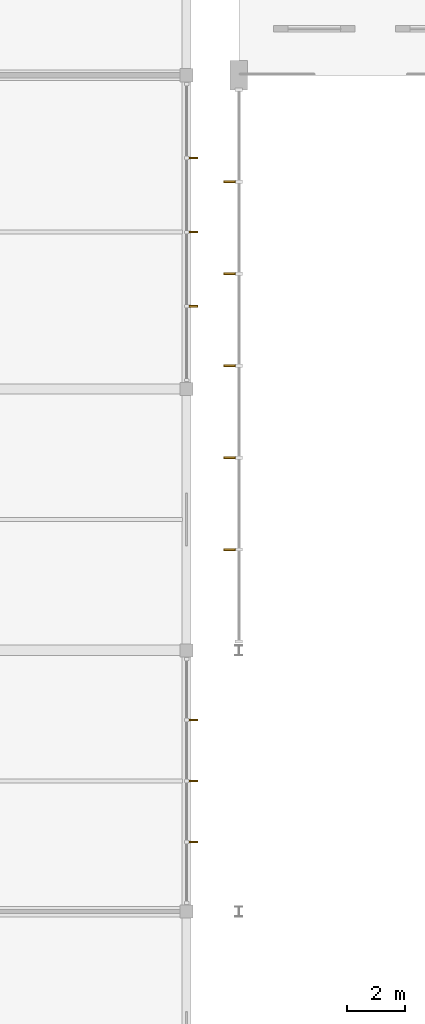
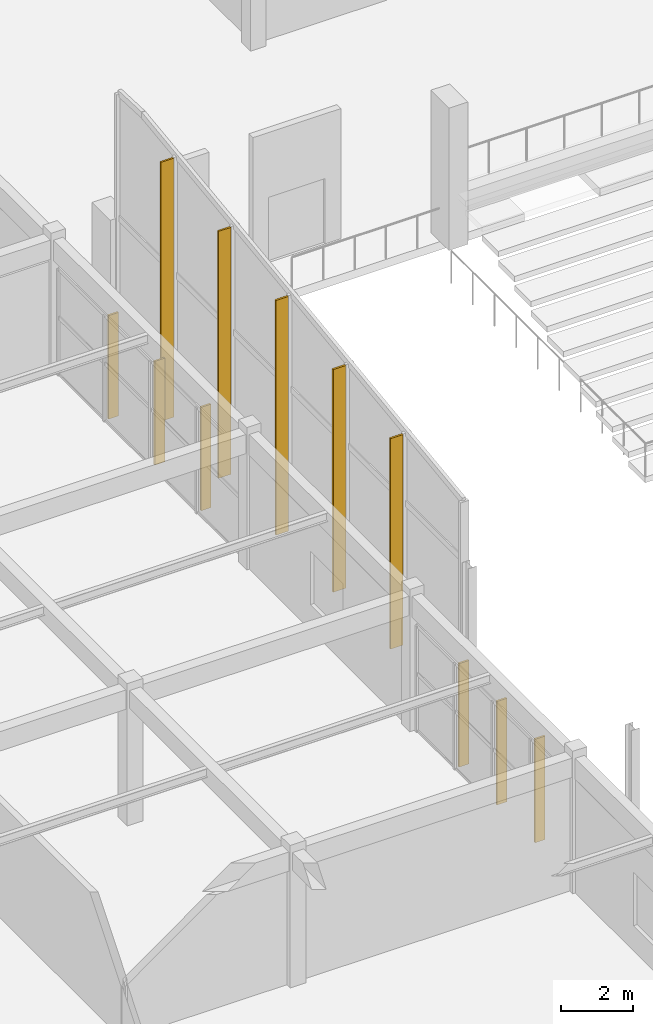
# One storey, part 63 of 74: 11 shading devices.
"""IFC4 building model written with IfcOpenShell, lengths in metres."""

import ifcopenshell
import ifcopenshell.guid

model = None  # the IFC model being written
_history = None  # IfcOwnerHistory: only IFC2X3 demands one
_inside = {}  # id of a spatial element -> (the spatial element, [elements in it])
_under = {}  # id of a project, library or spatial element -> (it, [spatial elements below it])
_declared = {}  # id of a project -> (the project, [libraries it declares])
_typed = {}  # id of a type object -> (the type object, [elements of that type])
_made_of = {}  # id of a material, layer set ... -> (it, [elements and type objects made of it])


def new_model(schema):
    """Start an empty IFC model of exactly this schema.

    Asked for "IFC4X3", IfcOpenShell would pick the latest addendum, in which some entities
    have other attributes; the version numbers below select the first issue.
    IFC2X3 requires an IfcOwnerHistory on every rooted entity: one is made here for all.
    """
    global model, _history
    if schema == "IFC4X3":
        model = ifcopenshell.file(schema_version=(4, 3, 0, 0))
    else:
        model = ifcopenshell.file(schema=schema)
    _inside.clear()
    _under.clear()
    _declared.clear()
    _typed.clear()
    _made_of.clear()
    _history = None
    if model.schema == "IFC2X3":
        org = make("IfcOrganization", Name="unknown")
        user = make(
            "IfcPersonAndOrganization",
            ThePerson=make("IfcPerson", FamilyName="unknown"),
            TheOrganization=org,
        )
        app = make(
            "IfcApplication",
            ApplicationDeveloper=org,
            Version="unknown",
            ApplicationFullName="unknown",
            ApplicationIdentifier="unknown",
        )
        _history = make(
            "IfcOwnerHistory",
            OwningUser=user,
            OwningApplication=app,
            ChangeAction="ADDED",
            CreationDate=0,
        )
    return model


def make(cls, **values):
    """One entity of the class cls with the attributes given. An attribute that is None is left unset."""
    return model.create_entity(
        cls, **{name: value for name, value in values.items() if value is not None}
    )


def rooted(cls, **values):
    """An entity with a GlobalId (a new one), such as an element, a storey or a relation."""
    return make(cls, GlobalId=ifcopenshell.guid.new(), OwnerHistory=_history, **values)


def si_unit(unit_type, name, prefix=None):
    """IfcSIUnit, for example si_unit("LENGTHUNIT", "METRE", prefix="MILLI")."""
    return make("IfcSIUnit", UnitType=unit_type, Prefix=prefix, Name=name)


def assignment(units):
    """IfcUnitAssignment: the units of a project."""
    return None if units is None else make("IfcUnitAssignment", Units=units)


def point(xyz):
    """IfcCartesianPoint."""
    return None if xyz is None else make("IfcCartesianPoint", Coordinates=xyz)


def direction(xyz):
    """IfcDirection."""
    return None if xyz is None else make("IfcDirection", DirectionRatios=xyz)


def frame(location, z_axis=None, x_axis=None):
    """IfcAxis2Placement3D, a coordinate frame: its origin and axes. An axis left out is left unset."""
    return make(
        "IfcAxis2Placement3D",
        Location=point(location),
        Axis=direction(z_axis),
        RefDirection=direction(x_axis),
    )


def frame_2d(location, x_axis=None):
    """IfcAxis2Placement2D, a coordinate frame in the plane: its origin and x axis."""
    return make(
        "IfcAxis2Placement2D", Location=point(location), RefDirection=direction(x_axis)
    )


def origin():
    """The frame at (0, 0, 0) with its axes left unset."""
    return frame((0.0, 0.0, 0.0))


def origin_2d():
    """The frame at (0, 0) in the plane with its x axis left unset."""
    return frame_2d((0.0, 0.0))


def place(relative_to, where):
    """IfcLocalPlacement: puts the frame where relative to a parent placement (None: the world)."""
    return make(
        "IfcLocalPlacement", PlacementRelTo=relative_to, RelativePlacement=where
    )


def context(
    kind, dimensions, precision=None, world=None, true_north=None, identifier=None
):
    """IfcGeometricRepresentationContext, for example the 3D "Model" context."""
    return make(
        "IfcGeometricRepresentationContext",
        ContextIdentifier=identifier,
        ContextType=kind,
        CoordinateSpaceDimension=dimensions,
        Precision=precision,
        WorldCoordinateSystem=world,
        TrueNorth=true_north,
    )


def subcontext(parent, identifier, kind, view, scale=None):
    """IfcGeometricRepresentationSubContext, for example "Body" below "Model"."""
    return make(
        "IfcGeometricRepresentationSubContext",
        ContextIdentifier=identifier,
        ContextType=kind,
        ParentContext=parent,
        TargetScale=scale,
        TargetView=view,
    )


def project(units=None, contexts=None):
    """IfcProject with its units and contexts."""
    return rooted(
        "IfcProject",
        Name="project",
        RepresentationContexts=contexts,
        UnitsInContext=assignment(units),
    )


def spatial(cls, under=None, at=None, **own):
    """A site, building, storey or space (cls), placed at a placement, below another one or the project."""
    s = rooted(cls, ObjectPlacement=at, **own)
    if under is not None:
        _under.setdefault(under.id(), (under, []))[1].append(s)
    return s


def profile(cls, at=None, kind="AREA", **sizes):
    """A parametric profile (cls). Its sizes go by their IFC names, for example OverallWidth=200.0."""
    return make(cls, ProfileType=kind, Position=at, **sizes)


def rectangle(**sizes):
    """IfcRectangleProfileDef."""
    return profile("IfcRectangleProfileDef", **sizes)


def extrude(swept, where, along, depth):
    """IfcExtrudedAreaSolid: the profile swept, set in the frame where, extruded along a direction by depth."""
    return make(
        "IfcExtrudedAreaSolid",
        SweptArea=swept,
        Position=where,
        ExtrudedDirection=direction(along),
        Depth=depth,
    )


def shape(context_of_items, identifier, shape_type, items):
    """IfcShapeRepresentation: the items that make up one representation, for example the "Body"."""
    return make(
        "IfcShapeRepresentation",
        ContextOfItems=context_of_items,
        RepresentationIdentifier=identifier,
        RepresentationType=shape_type,
        Items=items,
    )


def material(Name=None, Category=None):
    """IfcMaterial."""
    return make("IfcMaterial", Name=Name, Category=Category)


def made_of(thing, what):
    """Note that an element or type object is made of a material, layer set ...; save() writes the relation."""
    if what is not None:
        _made_of.setdefault(what.id(), (what, []))[1].append(thing)
    return thing


def type_object(cls, material=None, **own):
    """A type object (cls), such as IfcWallType, which elements share."""
    return made_of(rooted(cls, **own), material)


def element(
    cls,
    number,
    at=None,
    inside=None,
    cuts=None,
    type_object=None,
    material=None,
    context=None,
    identifier="Body",
    shape_type=None,
    held_by="IfcProductDefinitionShape",
    body=None,
    shapes=None,
    **own,
):
    """One element of the class cls, such as IfcWall. Its Tag is "e" and its number.

    at: its placement. inside: the storey or other place that contains it. cuts: it is an
    opening in that element (IfcRelVoidsElement). A single representation is given by context,
    identifier, shape_type and body (its items); several are given by shapes. held_by: the class
    of the entity that holds the representations. save() writes the other relations.
    """
    e = rooted(cls, Tag="e%d" % number, ObjectPlacement=at, **own)
    if body is not None:
        shapes = [shape(context, identifier, shape_type, body)]
    if shapes is not None:
        e.Representation = make(held_by, Representations=shapes)
    if inside is not None:
        _inside.setdefault(inside.id(), (inside, []))[1].append(e)
    if cuts is not None:
        rooted(
            "IfcRelVoidsElement", RelatingBuildingElement=cuts, RelatedOpeningElement=e
        )
    if type_object is not None:
        _typed.setdefault(type_object.id(), (type_object, []))[1].append(e)
    return made_of(e, material)


def aggregate(whole, parts):
    """IfcRelAggregates: a whole, such as a stair, and the parts it consists of."""
    return rooted("IfcRelAggregates", RelatingObject=whole, RelatedObjects=parts)


def save(model, path):
    """Write the relations noted so far, then the file.

    IfcRelAggregates (storeys below a building ...), IfcRelContainedInSpatialStructure (elements
    in a storey), IfcRelDefinesByType, IfcRelAssociatesMaterial and IfcRelDeclares: one each for
    every whole, place, type object, material and project.
    """
    for whole, parts in _under.values():
        aggregate(whole, parts)
    for where, things in _inside.values():
        rooted(
            "IfcRelContainedInSpatialStructure",
            RelatedElements=things,
            RelatingStructure=where,
        )
    for kind, things in _typed.values():
        rooted("IfcRelDefinesByType", RelatedObjects=things, RelatingType=kind)
    for what, things in _made_of.values():
        rooted("IfcRelAssociatesMaterial", RelatedObjects=things, RelatingMaterial=what)
    for by, libraries in _declared.values():
        rooted("IfcRelDeclares", RelatingContext=by, RelatedDefinitions=libraries)
    model.write(path)


model = new_model("IFC4")

# Units and contexts
model_context = context("Model", 3, precision=1e-05, world=origin(), true_north=direction((0.0, 1.0)))
body_context = subcontext(model_context, "Body", "Model", "MODEL_VIEW")
ifc_project = project(units=[si_unit("LENGTHUNIT", "METRE"), si_unit("AREAUNIT", "SQUARE_METRE"), si_unit("VOLUMEUNIT", "CUBIC_METRE"), si_unit("PLANEANGLEUNIT", "RADIAN"), si_unit("MASSUNIT", "GRAM", prefix="KILO")], contexts=[model_context])

# Site, building, storey
site_placement = place(None, origin())
site = spatial("IfcSite", under=ifc_project, at=site_placement, CompositionType="ELEMENT")
building_placement = place(site_placement, origin())
building = spatial("IfcBuilding", under=site, at=building_placement, Name="Suirenkawa Promenade Aquatics Centre", CompositionType="ELEMENT")
storey_placement = place(building_placement, frame((0.0, 0.0, 4.800048828125)))
storey = spatial("IfcBuildingStorey", under=building, at=storey_placement, Name="L01", CompositionType="ELEMENT", Elevation=4.800048828125)

# Shading devices
ifc_material = material(Name="Anodised aluminium 6063-T6", Category="aluminium")
shading_device_type_1 = type_object("IfcShadingDeviceType", Name="SDT-KOUSHI-320", PredefinedType="USERDEFINED", material=ifc_material)
for number, where, z_axis, x_axis, name in (
    (1, (45.23193359375, 75.00048828125, 0.0400390625), (0.0, 0.0, 1.0), (1.0, 0.0, 0.0), "Vertical solar shading fin FN-02 FIN-0124"),
    (2, (45.23193359375, 72.89990234375, 0.0400390625), (0.0, 0.0, 1.0), (1.0, 0.0, 0.0), "Vertical solar shading fin FN-02 FIN-0125"),
    (3, (45.23193359375, 70.799560546875, 0.0400390625), (0.0, 0.0, 1.0), (1.0, 0.0, 0.0), "Vertical solar shading fin FN-02 FIN-0126"),
    (4, (45.23193359375, 94.3505859375, 0.0400390625), (0.0, 0.0, 1.0), (1.0, 0.0, 0.0), "Vertical solar shading fin FN-02 FIN-0133"),
    (5, (45.23193359375, 91.800048828125, 0.0400390625), (0.0, 0.0, 1.0), (1.0, 0.0, 0.0), "Vertical solar shading fin FN-02 FIN-0134"),
    (6, (45.23193359375, 89.24951171875, 0.0400390625), (0.0, 0.0, 1.0), (1.0, 0.0, 0.0), "Vertical solar shading fin FN-02 FIN-0135"),
):
    element("IfcShadingDevice", number, at=place(storey_placement, frame(where, z_axis=z_axis, x_axis=x_axis)), inside=storey, type_object=shading_device_type_1, Name=name, ObjectType="FIN", PredefinedType="USERDEFINED", context=body_context, shape_type="SweptSolid", body=[
        extrude(rectangle(XDim=0.320068359375, YDim=0.06005859375, at=origin_2d()), origin(), (0.0, 0.0, 1.0), 3.489990234375),
    ])
shading_device_type_2 = type_object("IfcShadingDeviceType", Name="SDT-KOUSHI-400", PredefinedType="USERDEFINED", material=ifc_material)
shading_device_1_placement = place(storey_placement, frame((46.47802734375, 80.865966796875, 0.0400390625), z_axis=(0.0, 0.0, 1.0), x_axis=(-1.0, 0.0, 0.0)))
element("IfcShadingDevice", 7, at=shading_device_1_placement, inside=storey, type_object=shading_device_type_2, Name="Vertical solar shading fin FN-01 FIN-0007", ObjectType="FIN", PredefinedType="USERDEFINED", context=body_context, shape_type="SweptSolid", body=[
    extrude(rectangle(XDim=0.39990234375, YDim=0.06005859375, at=origin_2d()), origin(), (0.0, 0.0, 1.0), 7.0966796875),
])
shading_device_2_placement = place(storey_placement, frame((46.47802734375, 84.032958984375, 0.0400390625), z_axis=(0.0, 0.0, 1.0), x_axis=(-1.0, 0.0, 0.0)))
element("IfcShadingDevice", 8, at=shading_device_2_placement, inside=storey, type_object=shading_device_type_2, Name="Vertical solar shading fin FN-01 FIN-0008", ObjectType="FIN", PredefinedType="USERDEFINED", context=body_context, shape_type="SweptSolid", body=[
    extrude(rectangle(XDim=0.39990234375, YDim=0.06005859375, at=origin_2d()), origin(), (0.0, 0.0, 1.0), 7.5048828125),
])
shading_device_3_placement = place(storey_placement, frame((46.47802734375, 87.199951171875, 0.0400390625), z_axis=(0.0, 0.0, 1.0), x_axis=(-1.0, 0.0, 0.0)))
element("IfcShadingDevice", 9, at=shading_device_3_placement, inside=storey, type_object=shading_device_type_2, Name="Vertical solar shading fin FN-01 FIN-0009", ObjectType="FIN", PredefinedType="USERDEFINED", context=body_context, shape_type="SweptSolid", body=[
    extrude(rectangle(XDim=0.39990234375, YDim=0.06005859375, at=origin_2d()), origin(), (0.0, 0.0, 1.0), 7.9130859375),
])
shading_device_4_placement = place(storey_placement, frame((46.47802734375, 90.366943359375, 0.0400390625), z_axis=(0.0, 0.0, 1.0), x_axis=(-1.0, 0.0, 0.0)))
element("IfcShadingDevice", 10, at=shading_device_4_placement, inside=storey, type_object=shading_device_type_2, Name="Vertical solar shading fin FN-01 FIN-0010", ObjectType="FIN", PredefinedType="USERDEFINED", context=body_context, shape_type="SweptSolid", body=[
    extrude(rectangle(XDim=0.39990234375, YDim=0.06005859375, at=origin_2d()), origin(), (0.0, 0.0, 1.0), 8.3212890625),
])
shading_device_5_placement = place(storey_placement, frame((46.47802734375, 93.533935546875, 0.0400390625), z_axis=(0.0, 0.0, 1.0), x_axis=(-1.0, 0.0, 0.0)))
element("IfcShadingDevice", 11, at=shading_device_5_placement, inside=storey, type_object=shading_device_type_2, Name="Vertical solar shading fin FN-01 FIN-0011", ObjectType="FIN", PredefinedType="USERDEFINED", context=body_context, shape_type="SweptSolid", body=[
    extrude(rectangle(XDim=0.39990234375, YDim=0.06005859375, at=origin_2d()), origin(), (0.0, 0.0, 1.0), 8.7294921875),
])

save(model, "model.ifc")
